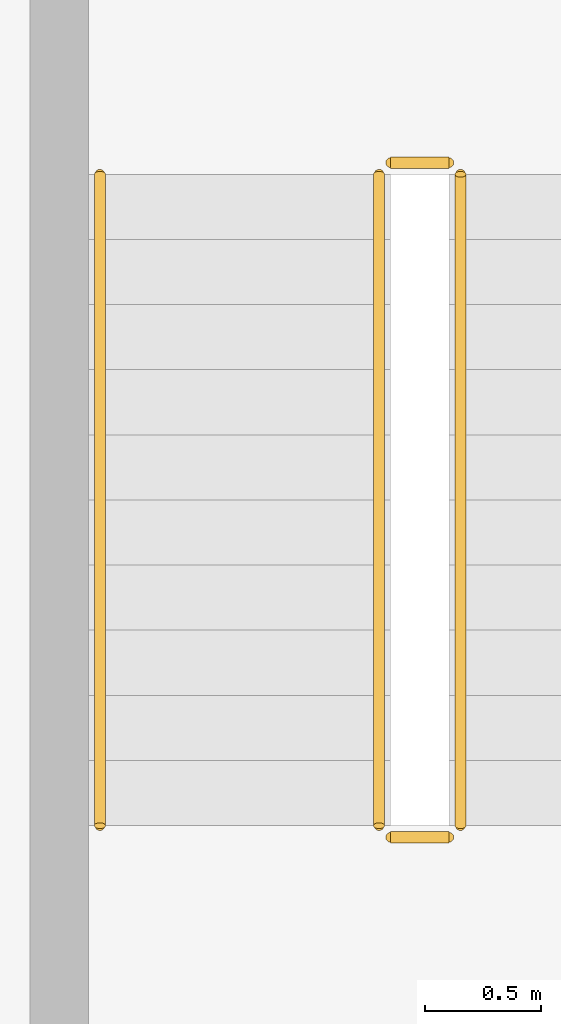
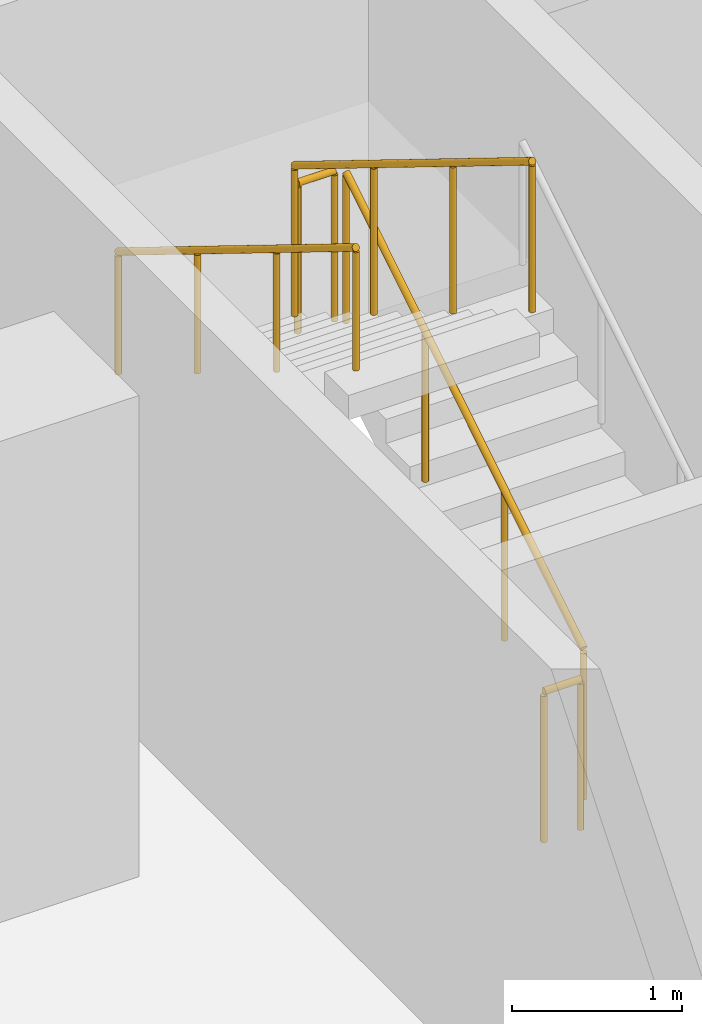
# One storey, part 31 of 34: 5 railings.
"""IFC4 building model written with IfcOpenShell, lengths in metres."""

from ifc_helpers import new_model, si_unit, direction, frame, origin, origin_2d, place, context, subcontext, project, spatial, circle, extrude, material, type_object, element, save


model = new_model("IFC4")

# Units and contexts
model_context = context("Model", 3, precision=1e-05, world=origin(), true_north=direction((0.0, 1.0)))
body_context = subcontext(model_context, "Body", "Model", "MODEL_VIEW")
ifc_project = project(units=[si_unit("LENGTHUNIT", "METRE"), si_unit("AREAUNIT", "SQUARE_METRE"), si_unit("VOLUMEUNIT", "CUBIC_METRE"), si_unit("PLANEANGLEUNIT", "RADIAN"), si_unit("MASSUNIT", "GRAM", prefix="KILO")], contexts=[model_context])

# Site, building, storey
site_placement = place(None, origin())
site = spatial("IfcSite", under=ifc_project, at=site_placement, CompositionType="ELEMENT")
building_placement = place(site_placement, origin())
building = spatial("IfcBuilding", under=site, at=building_placement, Name="Mahtab Terrace Research Tower", CompositionType="ELEMENT")
storey_placement = place(building_placement, frame((0.0, 0.0, 247.60009765625)))
storey = spatial("IfcBuildingStorey", under=building, at=storey_placement, Name="L60", CompositionType="ELEMENT", Elevation=247.60009765625)

# Railings
ifc_material = material(Name="Stainless steel AISI 304", Category="steel")
railing_type_1 = type_object("IfcRailingType", Name="Stair guard 1100", PredefinedType="GUARDRAIL", material=ifc_material)
railing_1_placement = place(storey_placement, frame((21.050048828125, 10.175048828125, 0.172607421875)))
element("IfcRailing", 1, at=railing_1_placement, inside=storey, type_object=railing_type_1, Name="L60 ST3 stair guard 1", PredefinedType="GUARDRAIL", context=body_context, shape_type="SweptSolid", body=[
    extrude(circle(Radius=0.02392578125, at=origin_2d()), frame((0.0, 0.0, 1.076171875), z_axis=(0.0, 0.851089632645, 0.525020415988), x_axis=(-1.0, 0.0, 0.0)), (0.0, 0.0, 1.0), 3.2900390625),
    extrude(circle(Radius=0.02099609375, at=origin_2d()), origin(), (0.0, 0.0, 1.0), 1.052001953125),
    extrude(circle(Radius=0.02099609375, at=origin_2d()), frame((0.0, 0.933349609375, 0.57568359375)), (0.0, 0.0, 1.0), 1.052001953125),
    extrude(circle(Radius=0.02099609375, at=origin_2d()), frame((0.0, 1.86669921875, 1.151611328125)), (0.0, 0.0, 1.0), 1.052001953125),
    extrude(circle(Radius=0.02099609375, at=origin_2d()), frame((0.0, 2.800048828125, 1.727294921875)), (0.0, 0.0, 1.0), 1.052001953125),
])
railing_2_placement = place(storey_placement, frame((21.0, 13.02490234375, 1.89990234375)))
element("IfcRailing", 2, at=railing_2_placement, inside=storey, type_object=railing_type_1, Name="L60 ST3 stair guard 2", PredefinedType="GUARDRAIL", context=body_context, shape_type="SweptSolid", body=[
    extrude(circle(Radius=0.02392578125, at=origin_2d()), frame((0.0, 0.0, 1.076171875), z_axis=(-1.0, 0.0, 0.0), x_axis=(0.0, -1.0, 0.0)), (0.0, 0.0, 1.0), 0.25),
    extrude(circle(Radius=0.02099609375, at=origin_2d()), origin(), (0.0, 0.0, 1.0), 1.052001953125),
    extrude(circle(Radius=0.02099609375, at=origin_2d()), frame((-0.25, 0.0, 0.0)), (0.0, 0.0, 1.0), 1.052001953125),
])
railing_3_placement = place(storey_placement, frame((20.699951171875, 12.97509765625, 2.072509765625)))
element("IfcRailing", 3, at=railing_3_placement, inside=storey, type_object=railing_type_1, Name="L60 ST3 stair guard 3", PredefinedType="GUARDRAIL", context=body_context, shape_type="SweptSolid", body=[
    extrude(circle(Radius=0.02392578125, at=origin_2d()), frame((0.0, 0.0, 1.076171875), z_axis=(0.0, -0.851089632645, 0.525020415988), x_axis=(1.0, 0.0, 0.0)), (0.0, 0.0, 1.0), 3.2900390625),
    extrude(circle(Radius=0.02099609375, at=origin_2d()), origin(), (0.0, 0.0, 1.0), 1.052001953125),
    extrude(circle(Radius=0.02099609375, at=origin_2d()), frame((0.0, -0.933349609375, 0.57568359375)), (0.0, 0.0, 1.0), 1.052001953125),
    extrude(circle(Radius=0.02099609375, at=origin_2d()), frame((0.0, -1.86669921875, 1.151611328125)), (0.0, 0.0, 1.0), 1.052001953125),
    extrude(circle(Radius=0.02099609375, at=origin_2d()), frame((0.0, -2.800048828125, 1.727294921875)), (0.0, 0.0, 1.0), 1.052001953125),
])
railing_4_placement = place(storey_placement, frame((21.0, 10.125, 0.0)))
element("IfcRailing", 4, at=railing_4_placement, inside=storey, type_object=railing_type_1, Name="L60 ST3 stair guard 4", PredefinedType="GUARDRAIL", context=body_context, shape_type="SweptSolid", body=[
    extrude(circle(Radius=0.02392578125, at=origin_2d()), frame((0.0, 0.0, 1.076171875), z_axis=(-1.0, 0.0, 0.0), x_axis=(0.0, -1.0, 0.0)), (0.0, 0.0, 1.0), 0.25),
    extrude(circle(Radius=0.02099609375, at=origin_2d()), origin(), (0.0, 0.0, 1.0), 1.052001953125),
    extrude(circle(Radius=0.02099609375, at=origin_2d()), frame((-0.25, 0.0, 0.0)), (0.0, 0.0, 1.0), 1.052001953125),
])
railing_type_2 = type_object("IfcRailingType", Name="Stair handrail 900", PredefinedType="HANDRAIL", material=ifc_material)
railing_5_placement = place(storey_placement, frame((19.5, 12.97509765625, 2.072509765625)))
element("IfcRailing", 5, at=railing_5_placement, inside=storey, type_object=railing_type_2, Name="L60 ST3 stair handrail 2", PredefinedType="HANDRAIL", context=body_context, shape_type="SweptSolid", body=[
    extrude(circle(Radius=0.02392578125, at=origin_2d()), frame((0.0, 0.0, 0.8759765625), z_axis=(0.0, -0.851089632645, 0.525020415988), x_axis=(1.0, 0.0, 0.0)), (0.0, 0.0, 1.0), 3.2900390625),
    extrude(circle(Radius=0.02099609375, at=origin_2d()), origin(), (0.0, 0.0, 1.0), 0.851806640625),
    extrude(circle(Radius=0.02099609375, at=origin_2d()), frame((0.0, -0.933349609375, 0.57568359375)), (0.0, 0.0, 1.0), 0.851806640625),
    extrude(circle(Radius=0.02099609375, at=origin_2d()), frame((0.0, -1.86669921875, 1.151611328125)), (0.0, 0.0, 1.0), 0.851806640625),
    extrude(circle(Radius=0.02099609375, at=origin_2d()), frame((0.0, -2.800048828125, 1.727294921875)), (0.0, 0.0, 1.0), 0.851806640625),
])

save(model, "model.ifc")
